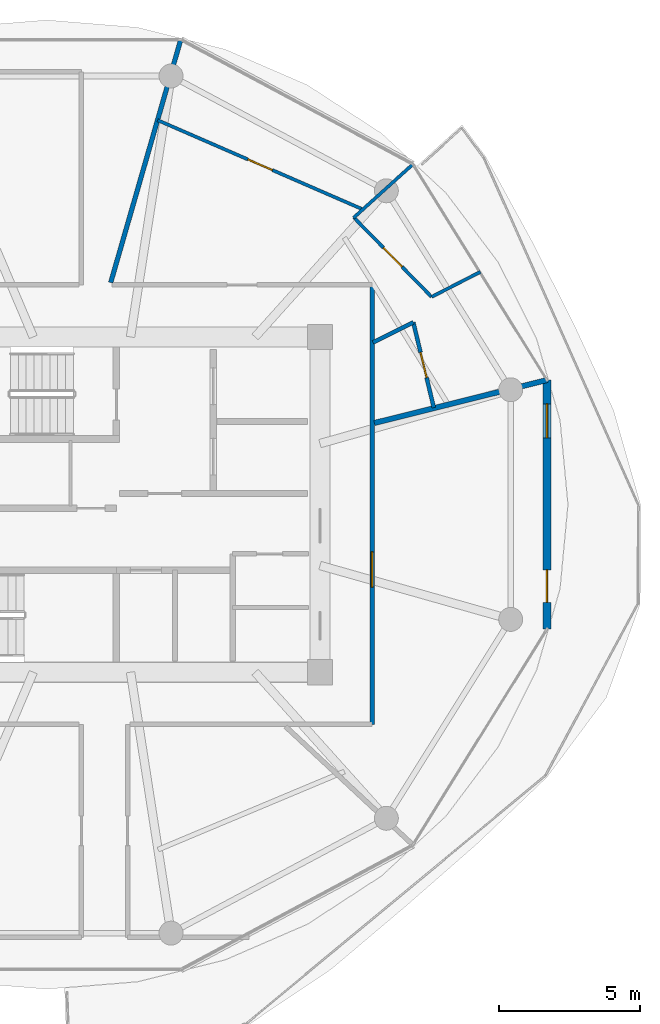
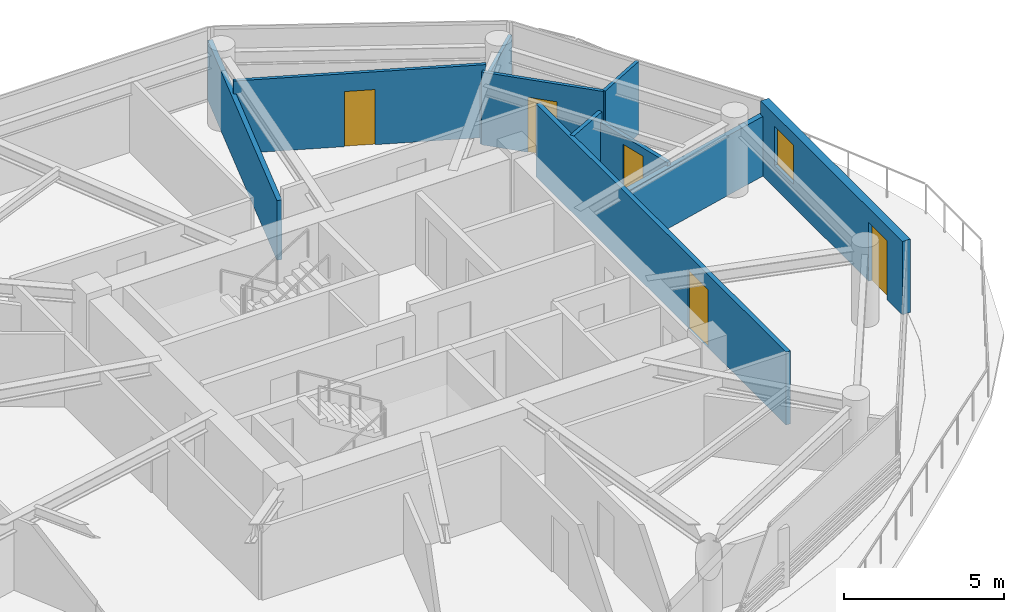
# One storey, part 17 of 22: 10 walls, 5 doors, 1 window, 6 openings.
"""IFC4 building model written with IfcOpenShell, lengths in metres."""

from ifc_helpers import new_model, si_unit, direction, frame, frame_2d, origin, place, context, subcontext, project, spatial, rectangle, extrude, source, transform, mapped, material, layer, layer_set, type_object, type_shapes, element, fill, save


model = new_model("IFC4")

# Units and contexts
model_context = context("Model", 3, precision=1e-05, world=origin(), true_north=direction((0.0, 1.0)))
body_context = subcontext(model_context, "Body", "Model", "MODEL_VIEW")
ifc_project = project(units=[si_unit("LENGTHUNIT", "METRE"), si_unit("AREAUNIT", "SQUARE_METRE"), si_unit("VOLUMEUNIT", "CUBIC_METRE"), si_unit("PLANEANGLEUNIT", "RADIAN"), si_unit("MASSUNIT", "GRAM", prefix="KILO")], contexts=[model_context])

# Site, building, storey
site_placement = place(None, origin())
site = spatial("IfcSite", under=ifc_project, at=site_placement, CompositionType="ELEMENT")
building_placement = place(site_placement, origin())
building = spatial("IfcBuilding", under=site, at=building_placement, Name="Norrkilde Senior Care Towers", CompositionType="ELEMENT")
storey_placement = place(building_placement, frame((0.0, 0.0, 96.25)))
storey = spatial("IfcBuildingStorey", under=building, at=storey_placement, Name="L29", CompositionType="ELEMENT", Elevation=96.25)

# Wall, openings, door, window
ifc_material_1 = material(Name="Precast concrete C45/55", Category="concrete")
ifc_layer_1 = layer(ifc_material_1, 0.2900390625)
ifc_layer_set_1 = layer_set([ifc_layer_1], Name="Precast concrete C45/55")
wall_type_1 = type_object("IfcWallType", Name="Winter Garden Facade Wall 290", PredefinedType="SOLIDWALL", material=ifc_layer_set_1)
shared_shape_1 = source(origin(), body_context, "Body", "SweptSolid", [
    extrude(rectangle(XDim=8.84130859375, YDim=0.2900390625, at=frame_2d((4.420654296875, 0.0))), origin(), (0.0, 0.0, 1.0), 2.7900390625),
])
type_shapes(wall_type_1, [shared_shape_1])
wall_1_placement = place(storey_placement, frame((43.70361328125, 4.420654296875, 0.0), z_axis=(0.0, 0.0, 1.0), x_axis=(0.0, -1.0, 0.0)))
wall_1 = element("IfcWall", 1, at=wall_1_placement, inside=storey, type_object=wall_type_1, Name="L29 Drum E Balcony Access Wall 11", PredefinedType="SOLIDWALL", context=body_context, shape_type="MappedRepresentation", body=[
    mapped(shared_shape_1, transform((0.0, 0.0, 0.0), x_axis=(1.0, 0.0, 0.0), y_axis=(0.0, 1.0, 0.0), z_axis=(0.0, 0.0, 1.0), scale=1.0)),
])
opening_1_placement = place(wall_1_placement, frame((6.739990234375, 0.0, 0.0)))
opening_1 = element("IfcOpeningElement", 2, at=opening_1_placement, cuts=wall_1, Name="Opening D-09", PredefinedType="OPENING", context=body_context, shape_type="SweptSolid", body=[
    extrude(rectangle(XDim=1.14990234375, YDim=2.25, at=frame_2d((0.574951171875, 1.125))), frame((0.0, 0.155029296875, 0.0), z_axis=(0.0, -1.0, 0.0), x_axis=(1.0, 0.0, 0.0)), (0.0, 0.0, 1.0), 0.31005859375),
])
opening_2_placement = place(wall_1_placement, frame((0.85009765625, 0.0, 0.85009765625)))
opening_2 = element("IfcOpeningElement", 3, at=opening_2_placement, cuts=wall_1, Name="Opening WN-07", PredefinedType="OPENING", context=body_context, shape_type="SweptSolid", body=[
    extrude(rectangle(XDim=1.199951171875, YDim=1.5, at=frame_2d((0.60009765625, 0.75))), frame((0.0, 0.155029296875, 0.0), z_axis=(0.0, -1.0, 0.0), x_axis=(1.0, 0.0, 0.0)), (0.0, 0.0, 1.0), 0.31005859375),
])
ifc_material_2 = material(Name="Anodised Aluminium", Category="aluminium")
door_type_1 = type_object("IfcDoorType", Name="Terrace and Balcony Glazed Door 1150x2250", OperationType="NOTDEFINED", PredefinedType="DOOR", material=ifc_material_2)
shared_shape_2 = source(origin(), body_context, "Body", "SweptSolid", [
    extrude(rectangle(XDim=1.14990234375, YDim=2.25, at=frame_2d((0.574951171875, 1.125))), frame((0.0, 0.02490234375, 0.0), z_axis=(0.0, -1.0, 0.0), x_axis=(1.0, 0.0, 0.0)), (0.0, 0.0, 1.0), 0.050048828125),
])
type_shapes(door_type_1, [shared_shape_2])
door_1_placement = place(opening_1_placement, origin())
door_1 = element("IfcDoor", 4, at=door_1_placement, inside=storey, type_object=door_type_1, Name="L29 Drum E Outdoor Terrace Door 11", OperationType="SINGLE_SWING_RIGHT", OverallHeight=2.25, OverallWidth=1.14990234375, PredefinedType="DOOR", context=body_context, shape_type="MappedRepresentation", body=[
    mapped(shared_shape_2, transform((0.0, 0.0, 0.0), x_axis=(1.0, 0.0, 0.0), y_axis=(0.0, 1.0, 0.0), z_axis=(0.0, 0.0, 1.0), scale=1.0)),
])
fill(opening_1, door_1)
ifc_material_3 = material(Name="Triple Low-E Insulated Glazing", Category="glass")
window_type = type_object("IfcWindowType", Name="Stairwell Smoke Vent Window 1200x1500", PartitioningType="SINGLE_PANEL", PredefinedType="WINDOW", material=ifc_material_3)
shared_shape_3 = source(origin(), body_context, "Body", "SweptSolid", [
    extrude(rectangle(XDim=1.199951171875, YDim=1.5, at=frame_2d((0.60009765625, 0.75))), frame((0.0, 0.030029296875, 0.0), z_axis=(0.0, -1.0, 0.0), x_axis=(1.0, 0.0, 0.0)), (0.0, 0.0, 1.0), 0.06005859375),
])
type_shapes(window_type, [shared_shape_3])
window_placement = place(opening_2_placement, origin())
window = element("IfcWindow", 5, at=window_placement, inside=storey, type_object=window_type, Name="L29 Drum E Winter Garden Window 11", OverallHeight=1.5, OverallWidth=1.199951171875, PartitioningType="SINGLE_PANEL", PredefinedType="WINDOW", context=body_context, shape_type="MappedRepresentation", body=[
    mapped(shared_shape_3, transform((0.0, 0.0, 0.0), x_axis=(1.0, 0.0, 0.0), y_axis=(0.0, 1.0, 0.0), z_axis=(0.0, 0.0, 1.0), scale=1.0)),
])
fill(opening_2, window)

# Wall, opening, door
ifc_material_4 = material(Name="Gypsum Acoustic Board")
ifc_layer_2 = layer(ifc_material_4, 0.1650390625)
ifc_layer_set_2 = layer_set([ifc_layer_2], Name="Gypsum Acoustic Board")
wall_type_2 = type_object("IfcWallType", Name="Corridor Rated Partition 165", PredefinedType="PARTITIONING", material=ifc_layer_set_2)
shared_shape_4 = source(origin(), body_context, "Body", "SweptSolid", [
    extrude(rectangle(XDim=15.60009765625, YDim=0.1650390625, at=frame_2d((7.800048828125, 0.0))), origin(), (0.0, 0.0, 1.0), 2.77490234375),
])
wall_2_placement = place(storey_placement, frame((37.5, 7.800048828125, 0.0), z_axis=(0.0, 0.0, 1.0), x_axis=(0.0, -1.0, 0.0)))
wall_2 = element("IfcWall", 6, at=wall_2_placement, inside=storey, type_object=wall_type_2, Name="WL-INT-L29-E-CRW-E-0", PredefinedType="PARTITIONING", context=body_context, shape_type="MappedRepresentation", body=[
    mapped(shared_shape_4, transform((0.0, 0.0, 0.0), x_axis=(1.0, 0.0, 0.0), y_axis=(0.0, 1.0, 0.0), z_axis=(0.0, 0.0, 1.0), scale=1.0)),
])
opening_3_placement = place(wall_2_placement, frame((9.482421875, 0.0, 0.0)))
opening_3 = element("IfcOpeningElement", 7, at=opening_3_placement, cuts=wall_2, Name="Opening D-05", PredefinedType="OPENING", context=body_context, shape_type="SweptSolid", body=[
    extrude(rectangle(XDim=1.25, YDim=2.199951171875, at=frame_2d((0.625, 1.10009765625))), frame((0.0, 0.092529296875, 0.0), z_axis=(0.0, -1.0, 0.0), x_axis=(1.0, 0.0, 0.0)), (0.0, 0.0, 1.0), 0.18505859375),
])
ifc_material_5 = material(Name="Nordic Ash Timber", Category="wood")
door_type_2 = type_object("IfcDoorType", Name="Care Bedroom Bariatric Door 1250x2200", OperationType="NOTDEFINED", PredefinedType="DOOR", material=ifc_material_5)
shared_shape_5 = source(origin(), body_context, "Body", "SweptSolid", [
    extrude(rectangle(XDim=1.25, YDim=2.199951171875, at=frame_2d((0.625, 1.10009765625))), frame((0.0, 0.02490234375, 0.0), z_axis=(0.0, -1.0, 0.0), x_axis=(1.0, 0.0, 0.0)), (0.0, 0.0, 1.0), 0.050048828125),
])
type_shapes(door_type_2, [shared_shape_5])
door_2_placement = place(opening_3_placement, frame((1.25, 0.0, 0.0), z_axis=(0.0, 0.0, 1.0), x_axis=(-1.0, 0.0, 0.0)))
door_2 = element("IfcDoor", 8, at=door_2_placement, inside=storey, type_object=door_type_2, Name="L29 Senior Wellness Library Lounge Door", OperationType="SINGLE_SWING_LEFT", OverallHeight=2.199951171875, OverallWidth=1.25, PredefinedType="DOOR", context=body_context, shape_type="MappedRepresentation", body=[
    mapped(shared_shape_5, transform((0.0, 0.0, 0.0), x_axis=(1.0, 0.0, 0.0), y_axis=(0.0, 1.0, 0.0), z_axis=(0.0, 0.0, 1.0), scale=1.0)),
])
fill(opening_3, door_2)

# Walls
shared_shape_6 = source(origin(), body_context, "Body", "SweptSolid", [
    extrude(rectangle(XDim=8.9892578125, YDim=0.1650390625, at=frame_2d((4.49462890625, 0.0))), origin(), (0.0, 0.0, 1.0), 2.27490234375),
])
type_shapes(wall_type_2, [shared_shape_4, shared_shape_6])
wall_3_placement = place(storey_placement, frame((28.221923828125, 7.8798828125, 0.0), z_axis=(0.0, 0.0, 1.0), x_axis=(0.27702323008, 0.960863221274, 0.0)))
element("IfcWall", 9, at=wall_3_placement, inside=storey, type_object=wall_type_2, Name="WL-INT-L29-E-DEM-02-0", PredefinedType="PARTITIONING", context=body_context, shape_type="MappedRepresentation", body=[
    mapped(shared_shape_6, transform((0.0, 0.0, 0.0), x_axis=(1.0, 0.0, 0.0), y_axis=(0.0, 1.0, 0.0), z_axis=(0.0, 0.0, 1.0), scale=1.0)),
])
ifc_layer_3 = layer(ifc_material_4, 0.18994140625)
ifc_layer_set_3 = layer_set([ifc_layer_3], Name="Gypsum Acoustic Board")
wall_type_3 = type_object("IfcWallType", Name="Unit Demising Acoustic Wall 190", PredefinedType="PARTITIONING", material=ifc_layer_set_3)
shared_shape_7 = source(origin(), body_context, "Body", "SweptSolid", [
    extrude(rectangle(XDim=6.33056640625, YDim=0.18994140625, at=frame_2d((3.165283203125, 0.0))), origin(), (0.0, 0.0, 1.0), 2.27490234375),
])
type_shapes(wall_type_3, [shared_shape_7])
wall_4_placement = place(storey_placement, frame((37.580078125, 2.89599609375, 0.0), z_axis=(0.0, 0.0, 1.0), x_axis=(0.97036440661, 0.241646267062, 0.0)))
element("IfcWall", 10, at=wall_4_placement, inside=storey, type_object=wall_type_3, Name="WL-INT-L29-E-DEM-00-0", PredefinedType="PARTITIONING", context=body_context, shape_type="MappedRepresentation", body=[
    mapped(shared_shape_7, transform((0.0, 0.0, 0.0), x_axis=(1.0, 0.0, 0.0), y_axis=(0.0, 1.0, 0.0), z_axis=(0.0, 0.0, 1.0), scale=1.0)),
])

# Wall, opening, door
ifc_layer_4 = layer(ifc_material_4, 0.114990234375)
ifc_layer_set_4 = layer_set([ifc_layer_4], Name="Gypsum Acoustic Board")
wall_type_4 = type_object("IfcWallType", Name="Internal Room Partition 115", PredefinedType="PARTITIONING", material=ifc_layer_set_4)
shared_shape_8 = source(origin(), body_context, "Body", "SweptSolid", [
    extrude(rectangle(XDim=7.937744140625, YDim=0.114990234375, at=frame_2d((3.96875, 0.0))), origin(), (0.0, 0.0, 1.0), 2.77490234375),
])
wall_5_placement = place(storey_placement, frame((37.164306640625, 10.4794921875, 0.0), z_axis=(0.0, 0.0, 1.0), x_axis=(-0.917052940979, 0.398765474235, 0.0)))
wall_5 = element("IfcWall", 11, at=wall_5_placement, inside=storey, type_object=wall_type_4, Name="WL-INT-L29-E-UBC-00-1", PredefinedType="PARTITIONING", context=body_context, shape_type="MappedRepresentation", body=[
    mapped(shared_shape_8, transform((0.0, 0.0, 0.0), x_axis=(1.0, 0.0, 0.0), y_axis=(0.0, 1.0, 0.0), z_axis=(0.0, 0.0, 1.0), scale=1.0)),
])
opening_4_placement = place(wall_5_placement, frame((3.493896484375, 0.0, 0.0)))
opening_4 = element("IfcOpeningElement", 12, at=opening_4_placement, cuts=wall_5, Name="Opening D-07", PredefinedType="OPENING", context=body_context, shape_type="SweptSolid", body=[
    extrude(rectangle(XDim=0.949951171875, YDim=2.10009765625, at=frame_2d((0.47509765625, 1.050048828125))), frame((0.0, 0.0673828125, 0.0), z_axis=(0.0, -1.0, 0.0), x_axis=(1.0, 0.0, 0.0)), (0.0, 0.0, 1.0), 0.135009765625),
])
door_type_3 = type_object("IfcDoorType", Name="Internal Suite Bedroom Door 950x2100", OperationType="NOTDEFINED", PredefinedType="DOOR", material=ifc_material_5)
shared_shape_9 = source(origin(), body_context, "Body", "SweptSolid", [
    extrude(rectangle(XDim=0.949951171875, YDim=2.10009765625, at=frame_2d((0.47509765625, 1.050048828125))), frame((0.0, 0.02490234375, 0.0), z_axis=(0.0, -1.0, 0.0), x_axis=(1.0, 0.0, 0.0)), (0.0, 0.0, 1.0), 0.050048828125),
])
type_shapes(door_type_3, [shared_shape_9])
door_3_placement = place(opening_4_placement, origin())
door_3 = element("IfcDoor", 13, at=door_3_placement, inside=storey, type_object=door_type_3, Name="Apartment 29C Bedroom 1 Door", OperationType="SINGLE_SWING_RIGHT", OverallHeight=2.10009765625, OverallWidth=0.949951171875, PredefinedType="DOOR", context=body_context, shape_type="MappedRepresentation", body=[
    mapped(shared_shape_9, transform((0.0, 0.0, 0.0), x_axis=(1.0, 0.0, 0.0), y_axis=(0.0, 1.0, 0.0), z_axis=(0.0, 0.0, 1.0), scale=1.0)),
])
fill(opening_4, door_3)

# Wall
ifc_layer_5 = layer(ifc_material_4, 0.139892578125)
ifc_layer_set_5 = layer_set([ifc_layer_5], Name="Gypsum Acoustic Board")
wall_type_5 = type_object("IfcWallType", Name="En-suite Wet Room Wall 140", PredefinedType="PARTITIONING", material=ifc_layer_set_5)
shared_shape_10 = source(origin(), body_context, "Body", "SweptSolid", [
    extrude(rectangle(XDim=1.600341796875, YDim=0.139892578125, at=frame_2d((0.80029296875, 0.0))), origin(), (0.0, 0.0, 1.0), 2.77490234375),
])
wall_6_placement = place(storey_placement, frame((37.530029296875, 5.753662109375, 0.0), z_axis=(0.0, 0.0, 1.0), x_axis=(0.895522919837, 0.445015393044, 0.0)))
element("IfcWall", 14, at=wall_6_placement, inside=storey, type_object=wall_type_5, Name="WL-INT-L29-E-UBTS-00", PredefinedType="PARTITIONING", context=body_context, shape_type="MappedRepresentation", body=[
    mapped(shared_shape_10, transform((0.0, 0.0, 0.0), x_axis=(1.0, 0.0, 0.0), y_axis=(0.0, 1.0, 0.0), z_axis=(0.0, 0.0, 1.0), scale=1.0)),
])

# Wall, opening, door
shared_shape_11 = source(origin(), body_context, "Body", "SweptSolid", [
    extrude(rectangle(XDim=3.111572265625, YDim=0.139892578125, at=frame_2d((1.5556640625, 0.0))), origin(), (0.0, 0.0, 1.0), 2.4150390625),
])
type_shapes(wall_type_5, [shared_shape_10, shared_shape_11])
wall_7_placement = place(storey_placement, frame((38.963134765625, 6.4658203125, 0.0), z_axis=(0.0, 0.0, 1.0), x_axis=(0.233737944029, -0.972299631555, 0.0)))
wall_7 = element("IfcWall", 15, at=wall_7_placement, inside=storey, type_object=wall_type_5, Name="WL-INT-L29-E-UBTF-00", PredefinedType="PARTITIONING", context=body_context, shape_type="MappedRepresentation", body=[
    mapped(shared_shape_11, transform((0.0, 0.0, 0.0), x_axis=(1.0, 0.0, 0.0), y_axis=(0.0, 1.0, 0.0), z_axis=(0.0, 0.0, 1.0), scale=1.0)),
])
opening_5_placement = place(wall_7_placement, frame((1.095703125, 0.0, 0.0)))
opening_5 = element("IfcOpeningElement", 16, at=opening_5_placement, cuts=wall_7, Name="Opening D-08", PredefinedType="OPENING", context=body_context, shape_type="SweptSolid", body=[
    extrude(rectangle(XDim=0.919921875, YDim=2.10009765625, at=frame_2d((0.4599609375, 1.050048828125))), frame((0.0, 0.079833984375, 0.0), z_axis=(0.0, -1.0, 0.0), x_axis=(1.0, 0.0, 0.0)), (0.0, 0.0, 1.0), 0.159912109375),
])
door_type_4 = type_object("IfcDoorType", Name="Accessible Wet Room Door 920x2100", OperationType="NOTDEFINED", PredefinedType="DOOR", material=ifc_material_5)
shared_shape_12 = source(origin(), body_context, "Body", "SweptSolid", [
    extrude(rectangle(XDim=0.919921875, YDim=2.10009765625, at=frame_2d((0.4599609375, 1.050048828125))), frame((0.0, 0.02490234375, 0.0), z_axis=(0.0, -1.0, 0.0), x_axis=(1.0, 0.0, 0.0)), (0.0, 0.0, 1.0), 0.050048828125),
])
type_shapes(door_type_4, [shared_shape_12])
door_4_placement = place(opening_5_placement, origin())
door_4 = element("IfcDoor", 17, at=door_4_placement, inside=storey, type_object=door_type_4, Name="Apartment 29C Bathroom Door", OperationType="SINGLE_SWING_RIGHT", OverallHeight=2.10009765625, OverallWidth=0.919921875, PredefinedType="DOOR", context=body_context, shape_type="MappedRepresentation", body=[
    mapped(shared_shape_12, transform((0.0, 0.0, 0.0), x_axis=(1.0, 0.0, 0.0), y_axis=(0.0, 1.0, 0.0), z_axis=(0.0, 0.0, 1.0), scale=1.0)),
])
fill(opening_5, door_4)

# Walls
shared_shape_13 = source(origin(), body_context, "Body", "SweptSolid", [
    extrude(rectangle(XDim=2.8515625, YDim=0.114990234375, at=frame_2d((1.42578125, 0.0))), origin(), (0.0, 0.0, 1.0), 2.27490234375),
])
wall_8_placement = place(storey_placement, frame((36.84423828125, 10.180419921875, 0.0), z_axis=(0.0, 0.0, 1.0), x_axis=(0.742190556634, 0.670188911908, 0.0)))
element("IfcWall", 18, at=wall_8_placement, inside=storey, type_object=wall_type_4, Name="WL-INT-L29-E-UBR-00-1", PredefinedType="PARTITIONING", context=body_context, shape_type="MappedRepresentation", body=[
    mapped(shared_shape_13, transform((0.0, 0.0, 0.0), x_axis=(1.0, 0.0, 0.0), y_axis=(0.0, 1.0, 0.0), z_axis=(0.0, 0.0, 1.0), scale=1.0)),
])
shared_shape_14 = source(origin(), body_context, "Body", "SweptSolid", [
    extrude(rectangle(XDim=1.9453125, YDim=0.114990234375, at=frame_2d((0.97265625, 0.0))), origin(), (0.0, 0.0, 1.0), 2.77490234375),
])
wall_9_placement = place(storey_placement, frame((39.611083984375, 7.370361328125, 0.0), z_axis=(0.0, 0.0, 1.0), x_axis=(0.889684148329, 0.456576517368, 0.0)))
element("IfcWall", 19, at=wall_9_placement, inside=storey, type_object=wall_type_4, Name="WL-INT-L29-E-UKTS-00", PredefinedType="PARTITIONING", context=body_context, shape_type="MappedRepresentation", body=[
    mapped(shared_shape_14, transform((0.0, 0.0, 0.0), x_axis=(1.0, 0.0, 0.0), y_axis=(0.0, 1.0, 0.0), z_axis=(0.0, 0.0, 1.0), scale=1.0)),
])

# Wall, opening, door
shared_shape_15 = source(origin(), body_context, "Body", "SweptSolid", [
    extrude(rectangle(XDim=3.943359375, YDim=0.114990234375, at=frame_2d((1.9716796875, 0.0))), origin(), (0.0, 0.0, 1.0), 2.77490234375),
])
type_shapes(wall_type_4, [shared_shape_8, shared_shape_13, shared_shape_14, shared_shape_15])
wall_10_placement = place(storey_placement, frame((39.611083984375, 7.370361328125, 0.0), z_axis=(0.0, 0.0, 1.0), x_axis=(-0.699481885754, 0.714650328134, 0.0)))
wall_10 = element("IfcWall", 20, at=wall_10_placement, inside=storey, type_object=wall_type_4, Name="WL-INT-L29-E-UKTF-00", PredefinedType="PARTITIONING", context=body_context, shape_type="MappedRepresentation", body=[
    mapped(shared_shape_15, transform((0.0, 0.0, 0.0), x_axis=(1.0, 0.0, 0.0), y_axis=(0.0, 1.0, 0.0), z_axis=(0.0, 0.0, 1.0), scale=1.0)),
])
opening_6_placement = place(wall_10_placement, frame((1.49658203125, 0.0, 0.0)))
opening_6 = element("IfcOpeningElement", 21, at=opening_6_placement, cuts=wall_10, Name="Opening D-07", PredefinedType="OPENING", context=body_context, shape_type="SweptSolid", body=[
    extrude(rectangle(XDim=0.949951171875, YDim=2.10009765625, at=frame_2d((0.47509765625, 1.050048828125))), frame((0.0, 0.0673828125, 0.0), z_axis=(0.0, -1.0, 0.0), x_axis=(1.0, 0.0, 0.0)), (0.0, 0.0, 1.0), 0.135009765625),
])
door_5_placement = place(opening_6_placement, frame((0.949951171875, 0.0, 0.0), z_axis=(0.0, 0.0, 1.0), x_axis=(-1.0, 0.0, 0.0)))
door_5 = element("IfcDoor", 22, at=door_5_placement, inside=storey, type_object=door_type_3, Name="Apartment 29C Kitchen Door", OperationType="SINGLE_SWING_LEFT", OverallHeight=2.10009765625, OverallWidth=0.949951171875, PredefinedType="DOOR", context=body_context, shape_type="MappedRepresentation", body=[
    mapped(shared_shape_9, transform((0.0, 0.0, 0.0), x_axis=(1.0, 0.0, 0.0), y_axis=(0.0, 1.0, 0.0), z_axis=(0.0, 0.0, 1.0), scale=1.0)),
])
fill(opening_6, door_5)

save(model, "model.ifc")
